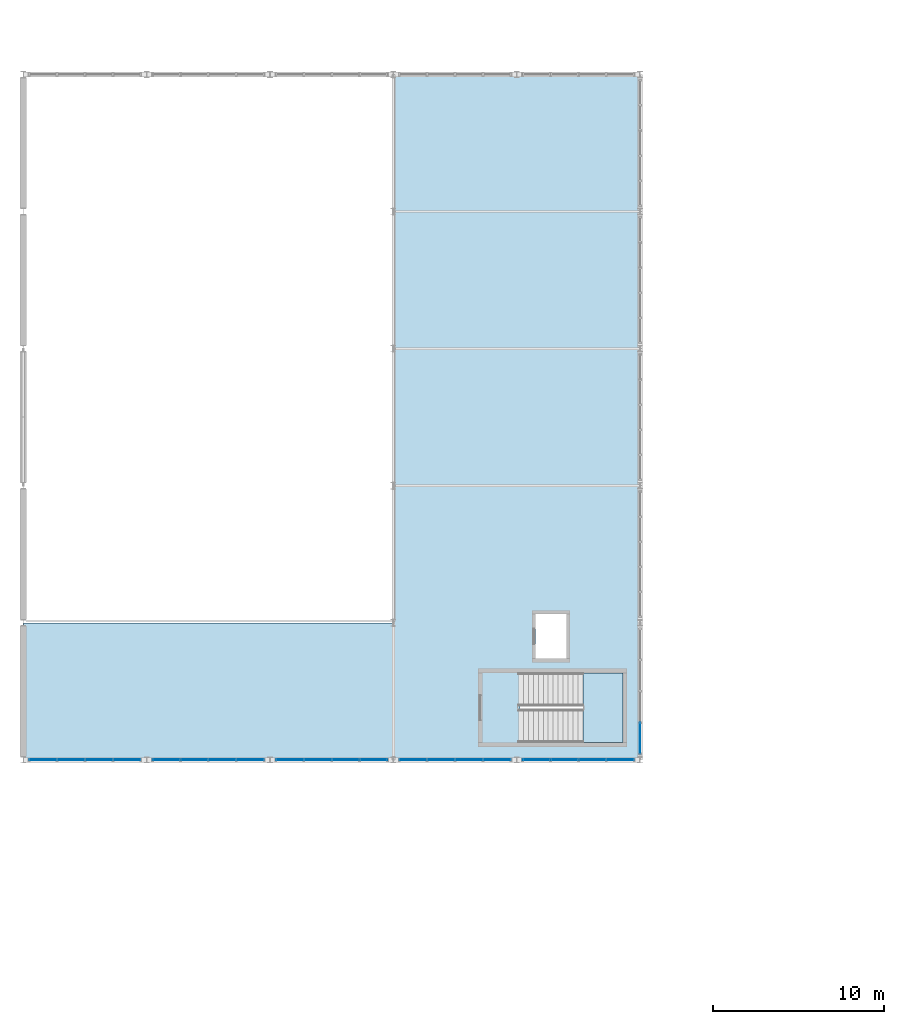
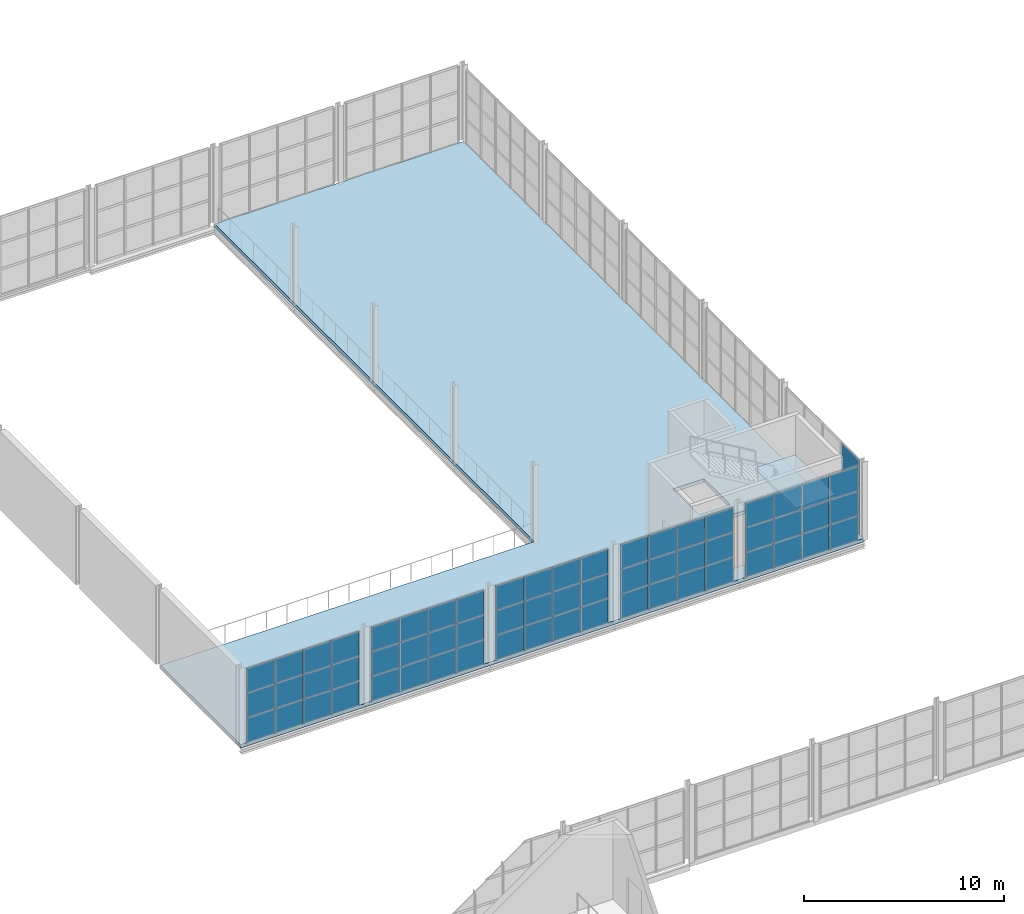
# One storey, part 111 of 143: 63 plates, 2 slabs, 7 elements without a shape of their own.
"""IFC4 building model written with IfcOpenShell, lengths in metres."""

from ifc_helpers import new_model, si_unit, derived_unit, direction, frame, origin, origin_2d, place, context, subcontext, project, spatial, polyline, rectangle, outline, extrude, material, layer, layer_set, type_object, element, aggregate, save


model = new_model("IFC4")

# Units and contexts
model_context = context("Model", 3, precision=1e-05, world=origin(), true_north=direction((0.0, 1.0)))
body_context = subcontext(model_context, "Body", "Model", "MODEL_VIEW")
ifc_project = project(units=[si_unit("LENGTHUNIT", "METRE"), si_unit("AREAUNIT", "SQUARE_METRE"), si_unit("VOLUMEUNIT", "CUBIC_METRE"), si_unit("PLANEANGLEUNIT", "RADIAN"), si_unit("MASSUNIT", "GRAM", prefix="KILO"), derived_unit("THERMALTRANSMITTANCEUNIT", [(si_unit("POWERUNIT", "WATT"), 1), (si_unit("LENGTHUNIT", "METRE"), -2), (si_unit("THERMODYNAMICTEMPERATUREUNIT", "KELVIN"), -1)])], contexts=[model_context])

# Site, building, storey
site_placement = place(None, origin())
site = spatial("IfcSite", under=ifc_project, at=site_placement, CompositionType="ELEMENT")
building_placement = place(site_placement, origin())
building = spatial("IfcBuilding", under=site, at=building_placement, Name="Keldorne Ridge Multi-Sports Centre", CompositionType="ELEMENT")
storey_placement = place(building_placement, frame((0.0, 0.0, 4.800048828125)))
storey = spatial("IfcBuildingStorey", under=building, at=storey_placement, Name="L01", CompositionType="ELEMENT", Elevation=4.800048828125)

# Curtain wall, plates
ifc_material_1 = material(Name="Anodized aluminium", Category="aluminium")
curtain_wall_type_1 = type_object("IfcCurtainWallType", Name="CW-CW-03", PredefinedType="NOTDEFINED", material=ifc_material_1)
curtain_wall_1_placement = place(storey_placement, origin())
curtain_wall_1 = element("IfcCurtainWall", 1, at=curtain_wall_1_placement, inside=storey, type_object=curtain_wall_type_1, Name="Climbing east courtyard glazing L01 059", PredefinedType="NOTDEFINED")
ifc_material_2 = material(Name="Double low-e insulated glazing", Category="glass")
ifc_layer_1 = layer(ifc_material_2, 0.035888671875)
ifc_layer_set_1 = layer_set([ifc_layer_1])
plate_type_1 = type_object("IfcPlateType", Name="PLT-GL-01", PredefinedType="CURTAIN_PANEL", material=ifc_layer_set_1)
plate_1_placement = place(storey_placement, frame((42.0, 75.2548828125, 0.02001953125), z_axis=(0.0, 0.0, 1.0), x_axis=(0.0, 1.0, 0.0)))
plate_1 = element("IfcPlate", 2, at=plate_1_placement, type_object=plate_type_1, Name="CW-059 glazed panel 1.1", PredefinedType="CURTAIN_PANEL", context=body_context, shape_type="SweptSolid", body=[
    extrude(rectangle(XDim=1.7900390625, YDim=0.035888671875, at=origin_2d()), origin(), (0.0, 0.0, 1.0), 1.476806640625),
])
plate_2_placement = place(storey_placement, frame((42.0, 75.2548828125, 1.53662109375), z_axis=(0.0, 0.0, 1.0), x_axis=(0.0, 1.0, 0.0)))
plate_2 = element("IfcPlate", 3, at=plate_2_placement, type_object=plate_type_1, Name="CW-059 glazed panel 1.2", PredefinedType="CURTAIN_PANEL", context=body_context, shape_type="SweptSolid", body=[
    extrude(rectangle(XDim=1.7900390625, YDim=0.035888671875, at=origin_2d()), origin(), (0.0, 0.0, 1.0), 1.476806640625),
])
plate_3_placement = place(storey_placement, frame((42.0, 75.2548828125, 3.05322265625), z_axis=(0.0, 0.0, 1.0), x_axis=(0.0, 1.0, 0.0)))
plate_3 = element("IfcPlate", 4, at=plate_3_placement, type_object=plate_type_1, Name="CW-059 glazed panel 1.3", PredefinedType="CURTAIN_PANEL", context=body_context, shape_type="SweptSolid", body=[
    extrude(rectangle(XDim=1.7900390625, YDim=0.035888671875, at=origin_2d()), origin(), (0.0, 0.0, 1.0), 1.476806640625),
])
aggregate(curtain_wall_1, [plate_1, plate_2, plate_3])

curtain_wall_2_placement = place(storey_placement, origin())
curtain_wall_2 = element("IfcCurtainWall", 5, at=curtain_wall_2_placement, inside=storey, type_object=curtain_wall_type_1, Name="Climbing belay south glazing 035", PredefinedType="NOTDEFINED")
ifc_material_3 = material(Name="Triple acoustic low-e glazing", Category="glass")
ifc_layer_2 = layer(ifc_material_3, 0.0439453125)
ifc_layer_set_2 = layer_set([ifc_layer_2])
plate_type_2 = type_object("IfcPlateType", Name="PLT-GL-02", PredefinedType="CURTAIN_PANEL", material=ifc_layer_set_2)
plate_4_placement = place(storey_placement, frame((7.155029296875, 74.0, 0.02001953125), z_axis=(0.0, 0.0, 1.0), x_axis=(1.0, 0.0, 0.0)))
plate_4 = element("IfcPlate", 6, at=plate_4_placement, type_object=plate_type_2, Name="CW-035 glazed panel 1.1", PredefinedType="CURTAIN_PANEL", context=body_context, shape_type="SweptSolid", body=[
    extrude(rectangle(XDim=1.590087890625, YDim=0.0439453125, at=origin_2d()), origin(), (0.0, 0.0, 1.0), 1.476806640625),
])
plate_5_placement = place(storey_placement, frame((7.155029296875, 74.0, 1.53662109375), z_axis=(0.0, 0.0, 1.0), x_axis=(1.0, 0.0, 0.0)))
plate_5 = element("IfcPlate", 7, at=plate_5_placement, type_object=plate_type_2, Name="CW-035 glazed panel 1.2", PredefinedType="CURTAIN_PANEL", context=body_context, shape_type="SweptSolid", body=[
    extrude(rectangle(XDim=1.590087890625, YDim=0.0439453125, at=origin_2d()), origin(), (0.0, 0.0, 1.0), 1.476806640625),
])
plate_6_placement = place(storey_placement, frame((7.155029296875, 74.0, 3.05322265625), z_axis=(0.0, 0.0, 1.0), x_axis=(1.0, 0.0, 0.0)))
plate_6 = element("IfcPlate", 8, at=plate_6_placement, type_object=plate_type_2, Name="CW-035 glazed panel 1.3", PredefinedType="CURTAIN_PANEL", context=body_context, shape_type="SweptSolid", body=[
    extrude(rectangle(XDim=1.590087890625, YDim=0.0439453125, at=origin_2d()), origin(), (0.0, 0.0, 1.0), 1.476806640625),
])
plate_7_placement = place(storey_placement, frame((8.784912109375, 74.0, 0.02001953125), z_axis=(0.0, 0.0, 1.0), x_axis=(1.0, 0.0, 0.0)))
plate_7 = element("IfcPlate", 9, at=plate_7_placement, type_object=plate_type_2, Name="CW-035 glazed panel 2.1", PredefinedType="CURTAIN_PANEL", context=body_context, shape_type="SweptSolid", body=[
    extrude(rectangle(XDim=1.590087890625, YDim=0.0439453125, at=origin_2d()), origin(), (0.0, 0.0, 1.0), 1.476806640625),
])
plate_8_placement = place(storey_placement, frame((8.784912109375, 74.0, 1.53662109375), z_axis=(0.0, 0.0, 1.0), x_axis=(1.0, 0.0, 0.0)))
plate_8 = element("IfcPlate", 10, at=plate_8_placement, type_object=plate_type_2, Name="CW-035 glazed panel 2.2", PredefinedType="CURTAIN_PANEL", context=body_context, shape_type="SweptSolid", body=[
    extrude(rectangle(XDim=1.590087890625, YDim=0.0439453125, at=origin_2d()), origin(), (0.0, 0.0, 1.0), 1.476806640625),
])
plate_9_placement = place(storey_placement, frame((8.784912109375, 74.0, 3.05322265625), z_axis=(0.0, 0.0, 1.0), x_axis=(1.0, 0.0, 0.0)))
plate_9 = element("IfcPlate", 11, at=plate_9_placement, type_object=plate_type_2, Name="CW-035 glazed panel 2.3", PredefinedType="CURTAIN_PANEL", context=body_context, shape_type="SweptSolid", body=[
    extrude(rectangle(XDim=1.590087890625, YDim=0.0439453125, at=origin_2d()), origin(), (0.0, 0.0, 1.0), 1.476806640625),
])
plate_10_placement = place(storey_placement, frame((10.4150390625, 74.0, 0.02001953125), z_axis=(0.0, 0.0, 1.0), x_axis=(1.0, 0.0, 0.0)))
plate_10 = element("IfcPlate", 12, at=plate_10_placement, type_object=plate_type_2, Name="CW-035 glazed panel 3.1", PredefinedType="CURTAIN_PANEL", context=body_context, shape_type="SweptSolid", body=[
    extrude(rectangle(XDim=1.590087890625, YDim=0.0439453125, at=origin_2d()), origin(), (0.0, 0.0, 1.0), 1.476806640625),
])
plate_11_placement = place(storey_placement, frame((10.4150390625, 74.0, 1.53662109375), z_axis=(0.0, 0.0, 1.0), x_axis=(1.0, 0.0, 0.0)))
plate_11 = element("IfcPlate", 13, at=plate_11_placement, type_object=plate_type_2, Name="CW-035 glazed panel 3.2", PredefinedType="CURTAIN_PANEL", context=body_context, shape_type="SweptSolid", body=[
    extrude(rectangle(XDim=1.590087890625, YDim=0.0439453125, at=origin_2d()), origin(), (0.0, 0.0, 1.0), 1.476806640625),
])
plate_12_placement = place(storey_placement, frame((10.4150390625, 74.0, 3.05322265625), z_axis=(0.0, 0.0, 1.0), x_axis=(1.0, 0.0, 0.0)))
plate_12 = element("IfcPlate", 14, at=plate_12_placement, type_object=plate_type_2, Name="CW-035 glazed panel 3.3", PredefinedType="CURTAIN_PANEL", context=body_context, shape_type="SweptSolid", body=[
    extrude(rectangle(XDim=1.590087890625, YDim=0.0439453125, at=origin_2d()), origin(), (0.0, 0.0, 1.0), 1.476806640625),
])
plate_13_placement = place(storey_placement, frame((12.044921875, 74.0, 0.02001953125), z_axis=(0.0, 0.0, 1.0), x_axis=(1.0, 0.0, 0.0)))
plate_13 = element("IfcPlate", 15, at=plate_13_placement, type_object=plate_type_2, Name="CW-035 glazed panel 4.1", PredefinedType="CURTAIN_PANEL", context=body_context, shape_type="SweptSolid", body=[
    extrude(rectangle(XDim=1.590087890625, YDim=0.0439453125, at=origin_2d()), origin(), (0.0, 0.0, 1.0), 1.476806640625),
])
plate_14_placement = place(storey_placement, frame((12.044921875, 74.0, 1.53662109375), z_axis=(0.0, 0.0, 1.0), x_axis=(1.0, 0.0, 0.0)))
plate_14 = element("IfcPlate", 16, at=plate_14_placement, type_object=plate_type_2, Name="CW-035 glazed panel 4.2", PredefinedType="CURTAIN_PANEL", context=body_context, shape_type="SweptSolid", body=[
    extrude(rectangle(XDim=1.590087890625, YDim=0.0439453125, at=origin_2d()), origin(), (0.0, 0.0, 1.0), 1.476806640625),
])
plate_15_placement = place(storey_placement, frame((12.044921875, 74.0, 3.05322265625), z_axis=(0.0, 0.0, 1.0), x_axis=(1.0, 0.0, 0.0)))
plate_15 = element("IfcPlate", 17, at=plate_15_placement, type_object=plate_type_2, Name="CW-035 glazed panel 4.3", PredefinedType="CURTAIN_PANEL", context=body_context, shape_type="SweptSolid", body=[
    extrude(rectangle(XDim=1.590087890625, YDim=0.0439453125, at=origin_2d()), origin(), (0.0, 0.0, 1.0), 1.476806640625),
])
aggregate(curtain_wall_2, [plate_4, plate_5, plate_6, plate_7, plate_8, plate_9, plate_10, plate_11, plate_12, plate_13, plate_14, plate_15])

curtain_wall_type_2 = type_object("IfcCurtainWallType", Name="CW-CW-08", PredefinedType="NOTDEFINED", material=ifc_material_1)
curtain_wall_3_placement = place(storey_placement, origin())
curtain_wall_3 = element("IfcCurtainWall", 18, at=curtain_wall_3_placement, inside=storey, type_object=curtain_wall_type_2, Name="Climbing belay south glazing 040", PredefinedType="NOTDEFINED")
plate_16_placement = place(storey_placement, frame((14.35498046875, 74.0, 0.02001953125), z_axis=(0.0, 0.0, 1.0), x_axis=(1.0, 0.0, 0.0)))
plate_16 = element("IfcPlate", 19, at=plate_16_placement, type_object=plate_type_2, Name="CW-040 glazed panel 1.1", PredefinedType="CURTAIN_PANEL", context=body_context, shape_type="SweptSolid", body=[
    extrude(rectangle(XDim=1.590087890625, YDim=0.0439453125, at=origin_2d()), origin(), (0.0, 0.0, 1.0), 1.476806640625),
])
plate_17_placement = place(storey_placement, frame((14.35498046875, 74.0, 1.53662109375), z_axis=(0.0, 0.0, 1.0), x_axis=(1.0, 0.0, 0.0)))
plate_17 = element("IfcPlate", 20, at=plate_17_placement, type_object=plate_type_2, Name="CW-040 glazed panel 1.2", PredefinedType="CURTAIN_PANEL", context=body_context, shape_type="SweptSolid", body=[
    extrude(rectangle(XDim=1.590087890625, YDim=0.0439453125, at=origin_2d()), origin(), (0.0, 0.0, 1.0), 1.476806640625),
])
plate_18_placement = place(storey_placement, frame((14.35498046875, 74.0, 3.05322265625), z_axis=(0.0, 0.0, 1.0), x_axis=(1.0, 0.0, 0.0)))
plate_18 = element("IfcPlate", 21, at=plate_18_placement, type_object=plate_type_2, Name="CW-040 glazed panel 1.3", PredefinedType="CURTAIN_PANEL", context=body_context, shape_type="SweptSolid", body=[
    extrude(rectangle(XDim=1.590087890625, YDim=0.0439453125, at=origin_2d()), origin(), (0.0, 0.0, 1.0), 1.476806640625),
])
plate_19_placement = place(storey_placement, frame((15.985107421875, 74.0, 0.02001953125), z_axis=(0.0, 0.0, 1.0), x_axis=(1.0, 0.0, 0.0)))
plate_19 = element("IfcPlate", 22, at=plate_19_placement, type_object=plate_type_2, Name="CW-040 glazed panel 2.1", PredefinedType="CURTAIN_PANEL", context=body_context, shape_type="SweptSolid", body=[
    extrude(rectangle(XDim=1.590087890625, YDim=0.0439453125, at=origin_2d()), origin(), (0.0, 0.0, 1.0), 1.476806640625),
])
plate_20_placement = place(storey_placement, frame((15.985107421875, 74.0, 1.53662109375), z_axis=(0.0, 0.0, 1.0), x_axis=(1.0, 0.0, 0.0)))
plate_20 = element("IfcPlate", 23, at=plate_20_placement, type_object=plate_type_2, Name="CW-040 glazed panel 2.2", PredefinedType="CURTAIN_PANEL", context=body_context, shape_type="SweptSolid", body=[
    extrude(rectangle(XDim=1.590087890625, YDim=0.0439453125, at=origin_2d()), origin(), (0.0, 0.0, 1.0), 1.476806640625),
])
plate_21_placement = place(storey_placement, frame((15.985107421875, 74.0, 3.05322265625), z_axis=(0.0, 0.0, 1.0), x_axis=(1.0, 0.0, 0.0)))
plate_21 = element("IfcPlate", 24, at=plate_21_placement, type_object=plate_type_2, Name="CW-040 glazed panel 2.3", PredefinedType="CURTAIN_PANEL", context=body_context, shape_type="SweptSolid", body=[
    extrude(rectangle(XDim=1.590087890625, YDim=0.0439453125, at=origin_2d()), origin(), (0.0, 0.0, 1.0), 1.476806640625),
])
plate_22_placement = place(storey_placement, frame((17.614990234375, 74.0, 0.02001953125), z_axis=(0.0, 0.0, 1.0), x_axis=(1.0, 0.0, 0.0)))
plate_22 = element("IfcPlate", 25, at=plate_22_placement, type_object=plate_type_2, Name="CW-040 glazed panel 3.1", PredefinedType="CURTAIN_PANEL", context=body_context, shape_type="SweptSolid", body=[
    extrude(rectangle(XDim=1.590087890625, YDim=0.0439453125, at=origin_2d()), origin(), (0.0, 0.0, 1.0), 1.476806640625),
])
plate_23_placement = place(storey_placement, frame((17.614990234375, 74.0, 1.53662109375), z_axis=(0.0, 0.0, 1.0), x_axis=(1.0, 0.0, 0.0)))
plate_23 = element("IfcPlate", 26, at=plate_23_placement, type_object=plate_type_2, Name="CW-040 glazed panel 3.2", PredefinedType="CURTAIN_PANEL", context=body_context, shape_type="SweptSolid", body=[
    extrude(rectangle(XDim=1.590087890625, YDim=0.0439453125, at=origin_2d()), origin(), (0.0, 0.0, 1.0), 1.476806640625),
])
plate_24_placement = place(storey_placement, frame((17.614990234375, 74.0, 3.05322265625), z_axis=(0.0, 0.0, 1.0), x_axis=(1.0, 0.0, 0.0)))
plate_24 = element("IfcPlate", 27, at=plate_24_placement, type_object=plate_type_2, Name="CW-040 glazed panel 3.3", PredefinedType="CURTAIN_PANEL", context=body_context, shape_type="SweptSolid", body=[
    extrude(rectangle(XDim=1.590087890625, YDim=0.0439453125, at=origin_2d()), origin(), (0.0, 0.0, 1.0), 1.476806640625),
])
plate_25_placement = place(storey_placement, frame((19.2451171875, 74.0, 0.02001953125), z_axis=(0.0, 0.0, 1.0), x_axis=(1.0, 0.0, 0.0)))
plate_25 = element("IfcPlate", 28, at=plate_25_placement, type_object=plate_type_2, Name="CW-040 glazed panel 4.1", PredefinedType="CURTAIN_PANEL", context=body_context, shape_type="SweptSolid", body=[
    extrude(rectangle(XDim=1.590087890625, YDim=0.0439453125, at=origin_2d()), origin(), (0.0, 0.0, 1.0), 1.476806640625),
])
plate_26_placement = place(storey_placement, frame((19.2451171875, 74.0, 1.53662109375), z_axis=(0.0, 0.0, 1.0), x_axis=(1.0, 0.0, 0.0)))
plate_26 = element("IfcPlate", 29, at=plate_26_placement, type_object=plate_type_2, Name="CW-040 glazed panel 4.2", PredefinedType="CURTAIN_PANEL", context=body_context, shape_type="SweptSolid", body=[
    extrude(rectangle(XDim=1.590087890625, YDim=0.0439453125, at=origin_2d()), origin(), (0.0, 0.0, 1.0), 1.476806640625),
])
plate_27_placement = place(storey_placement, frame((19.2451171875, 74.0, 3.05322265625), z_axis=(0.0, 0.0, 1.0), x_axis=(1.0, 0.0, 0.0)))
plate_27 = element("IfcPlate", 30, at=plate_27_placement, type_object=plate_type_2, Name="CW-040 glazed panel 4.3", PredefinedType="CURTAIN_PANEL", context=body_context, shape_type="SweptSolid", body=[
    extrude(rectangle(XDim=1.590087890625, YDim=0.0439453125, at=origin_2d()), origin(), (0.0, 0.0, 1.0), 1.476806640625),
])
aggregate(curtain_wall_3, [plate_16, plate_17, plate_18, plate_19, plate_20, plate_21, plate_22, plate_23, plate_24, plate_25, plate_26, plate_27])

curtain_wall_type_3 = type_object("IfcCurtainWallType", Name="CW-CW-04", PredefinedType="NOTDEFINED", material=ifc_material_1)
curtain_wall_4_placement = place(storey_placement, origin())
curtain_wall_4 = element("IfcCurtainWall", 31, at=curtain_wall_4_placement, inside=storey, type_object=curtain_wall_type_3, Name="Climbing belay south glazing 044", PredefinedType="NOTDEFINED")
plate_28_placement = place(storey_placement, frame((21.554931640625, 74.0, 0.02001953125), z_axis=(0.0, 0.0, 1.0), x_axis=(1.0, 0.0, 0.0)))
plate_28 = element("IfcPlate", 32, at=plate_28_placement, type_object=plate_type_2, Name="CW-044 glazed panel 1.1", PredefinedType="CURTAIN_PANEL", context=body_context, shape_type="SweptSolid", body=[
    extrude(rectangle(XDim=1.590087890625, YDim=0.0439453125, at=origin_2d()), origin(), (0.0, 0.0, 1.0), 1.476806640625),
])
plate_29_placement = place(storey_placement, frame((21.554931640625, 74.0, 1.53662109375), z_axis=(0.0, 0.0, 1.0), x_axis=(1.0, 0.0, 0.0)))
plate_29 = element("IfcPlate", 33, at=plate_29_placement, type_object=plate_type_2, Name="CW-044 glazed panel 1.2", PredefinedType="CURTAIN_PANEL", context=body_context, shape_type="SweptSolid", body=[
    extrude(rectangle(XDim=1.590087890625, YDim=0.0439453125, at=origin_2d()), origin(), (0.0, 0.0, 1.0), 1.476806640625),
])
plate_30_placement = place(storey_placement, frame((21.554931640625, 74.0, 3.05322265625), z_axis=(0.0, 0.0, 1.0), x_axis=(1.0, 0.0, 0.0)))
plate_30 = element("IfcPlate", 34, at=plate_30_placement, type_object=plate_type_2, Name="CW-044 glazed panel 1.3", PredefinedType="CURTAIN_PANEL", context=body_context, shape_type="SweptSolid", body=[
    extrude(rectangle(XDim=1.590087890625, YDim=0.0439453125, at=origin_2d()), origin(), (0.0, 0.0, 1.0), 1.476806640625),
])
plate_31_placement = place(storey_placement, frame((23.18505859375, 74.0, 0.02001953125), z_axis=(0.0, 0.0, 1.0), x_axis=(1.0, 0.0, 0.0)))
plate_31 = element("IfcPlate", 35, at=plate_31_placement, type_object=plate_type_2, Name="CW-044 glazed panel 2.1", PredefinedType="CURTAIN_PANEL", context=body_context, shape_type="SweptSolid", body=[
    extrude(rectangle(XDim=1.590087890625, YDim=0.0439453125, at=origin_2d()), origin(), (0.0, 0.0, 1.0), 1.476806640625),
])
plate_32_placement = place(storey_placement, frame((23.18505859375, 74.0, 1.53662109375), z_axis=(0.0, 0.0, 1.0), x_axis=(1.0, 0.0, 0.0)))
plate_32 = element("IfcPlate", 36, at=plate_32_placement, type_object=plate_type_2, Name="CW-044 glazed panel 2.2", PredefinedType="CURTAIN_PANEL", context=body_context, shape_type="SweptSolid", body=[
    extrude(rectangle(XDim=1.590087890625, YDim=0.0439453125, at=origin_2d()), origin(), (0.0, 0.0, 1.0), 1.476806640625),
])
plate_33_placement = place(storey_placement, frame((23.18505859375, 74.0, 3.05322265625), z_axis=(0.0, 0.0, 1.0), x_axis=(1.0, 0.0, 0.0)))
plate_33 = element("IfcPlate", 37, at=plate_33_placement, type_object=plate_type_2, Name="CW-044 glazed panel 2.3", PredefinedType="CURTAIN_PANEL", context=body_context, shape_type="SweptSolid", body=[
    extrude(rectangle(XDim=1.590087890625, YDim=0.0439453125, at=origin_2d()), origin(), (0.0, 0.0, 1.0), 1.476806640625),
])
plate_34_placement = place(storey_placement, frame((24.81494140625, 74.0, 0.02001953125), z_axis=(0.0, 0.0, 1.0), x_axis=(1.0, 0.0, 0.0)))
plate_34 = element("IfcPlate", 38, at=plate_34_placement, type_object=plate_type_2, Name="CW-044 glazed panel 3.1", PredefinedType="CURTAIN_PANEL", context=body_context, shape_type="SweptSolid", body=[
    extrude(rectangle(XDim=1.590087890625, YDim=0.0439453125, at=origin_2d()), origin(), (0.0, 0.0, 1.0), 1.476806640625),
])
plate_35_placement = place(storey_placement, frame((24.81494140625, 74.0, 1.53662109375), z_axis=(0.0, 0.0, 1.0), x_axis=(1.0, 0.0, 0.0)))
plate_35 = element("IfcPlate", 39, at=plate_35_placement, type_object=plate_type_2, Name="CW-044 glazed panel 3.2", PredefinedType="CURTAIN_PANEL", context=body_context, shape_type="SweptSolid", body=[
    extrude(rectangle(XDim=1.590087890625, YDim=0.0439453125, at=origin_2d()), origin(), (0.0, 0.0, 1.0), 1.476806640625),
])
plate_36_placement = place(storey_placement, frame((24.81494140625, 74.0, 3.05322265625), z_axis=(0.0, 0.0, 1.0), x_axis=(1.0, 0.0, 0.0)))
plate_36 = element("IfcPlate", 40, at=plate_36_placement, type_object=plate_type_2, Name="CW-044 glazed panel 3.3", PredefinedType="CURTAIN_PANEL", context=body_context, shape_type="SweptSolid", body=[
    extrude(rectangle(XDim=1.590087890625, YDim=0.0439453125, at=origin_2d()), origin(), (0.0, 0.0, 1.0), 1.476806640625),
])
plate_37_placement = place(storey_placement, frame((26.445068359375, 74.0, 0.02001953125), z_axis=(0.0, 0.0, 1.0), x_axis=(1.0, 0.0, 0.0)))
plate_37 = element("IfcPlate", 41, at=plate_37_placement, type_object=plate_type_2, Name="CW-044 glazed panel 4.1", PredefinedType="CURTAIN_PANEL", context=body_context, shape_type="SweptSolid", body=[
    extrude(rectangle(XDim=1.590087890625, YDim=0.0439453125, at=origin_2d()), origin(), (0.0, 0.0, 1.0), 1.476806640625),
])
plate_38_placement = place(storey_placement, frame((26.445068359375, 74.0, 1.53662109375), z_axis=(0.0, 0.0, 1.0), x_axis=(1.0, 0.0, 0.0)))
plate_38 = element("IfcPlate", 42, at=plate_38_placement, type_object=plate_type_2, Name="CW-044 glazed panel 4.2", PredefinedType="CURTAIN_PANEL", context=body_context, shape_type="SweptSolid", body=[
    extrude(rectangle(XDim=1.590087890625, YDim=0.0439453125, at=origin_2d()), origin(), (0.0, 0.0, 1.0), 1.476806640625),
])
plate_39_placement = place(storey_placement, frame((26.445068359375, 74.0, 3.05322265625), z_axis=(0.0, 0.0, 1.0), x_axis=(1.0, 0.0, 0.0)))
plate_39 = element("IfcPlate", 43, at=plate_39_placement, type_object=plate_type_2, Name="CW-044 glazed panel 4.3", PredefinedType="CURTAIN_PANEL", context=body_context, shape_type="SweptSolid", body=[
    extrude(rectangle(XDim=1.590087890625, YDim=0.0439453125, at=origin_2d()), origin(), (0.0, 0.0, 1.0), 1.476806640625),
])
aggregate(curtain_wall_4, [plate_28, plate_29, plate_30, plate_31, plate_32, plate_33, plate_34, plate_35, plate_36, plate_37, plate_38, plate_39])

curtain_wall_5_placement = place(storey_placement, origin())
curtain_wall_5 = element("IfcCurtainWall", 44, at=curtain_wall_5_placement, inside=storey, type_object=curtain_wall_type_2, Name="Climbing belay south glazing 048", PredefinedType="NOTDEFINED")
plate_40_placement = place(storey_placement, frame((28.7548828125, 74.0, 0.02001953125), z_axis=(0.0, 0.0, 1.0), x_axis=(1.0, 0.0, 0.0)))
plate_40 = element("IfcPlate", 45, at=plate_40_placement, type_object=plate_type_2, Name="CW-048 glazed panel 1.1", PredefinedType="CURTAIN_PANEL", context=body_context, shape_type="SweptSolid", body=[
    extrude(rectangle(XDim=1.590087890625, YDim=0.0439453125, at=origin_2d()), origin(), (0.0, 0.0, 1.0), 1.476806640625),
])
plate_41_placement = place(storey_placement, frame((28.7548828125, 74.0, 1.53662109375), z_axis=(0.0, 0.0, 1.0), x_axis=(1.0, 0.0, 0.0)))
plate_41 = element("IfcPlate", 46, at=plate_41_placement, type_object=plate_type_2, Name="CW-048 glazed panel 1.2", PredefinedType="CURTAIN_PANEL", context=body_context, shape_type="SweptSolid", body=[
    extrude(rectangle(XDim=1.590087890625, YDim=0.0439453125, at=origin_2d()), origin(), (0.0, 0.0, 1.0), 1.476806640625),
])
plate_42_placement = place(storey_placement, frame((28.7548828125, 74.0, 3.05322265625), z_axis=(0.0, 0.0, 1.0), x_axis=(1.0, 0.0, 0.0)))
plate_42 = element("IfcPlate", 47, at=plate_42_placement, type_object=plate_type_2, Name="CW-048 glazed panel 1.3", PredefinedType="CURTAIN_PANEL", context=body_context, shape_type="SweptSolid", body=[
    extrude(rectangle(XDim=1.590087890625, YDim=0.0439453125, at=origin_2d()), origin(), (0.0, 0.0, 1.0), 1.476806640625),
])
plate_43_placement = place(storey_placement, frame((30.385009765625, 74.0, 0.02001953125), z_axis=(0.0, 0.0, 1.0), x_axis=(1.0, 0.0, 0.0)))
plate_43 = element("IfcPlate", 48, at=plate_43_placement, type_object=plate_type_2, Name="CW-048 glazed panel 2.1", PredefinedType="CURTAIN_PANEL", context=body_context, shape_type="SweptSolid", body=[
    extrude(rectangle(XDim=1.590087890625, YDim=0.0439453125, at=origin_2d()), origin(), (0.0, 0.0, 1.0), 1.476806640625),
])
plate_44_placement = place(storey_placement, frame((30.385009765625, 74.0, 1.53662109375), z_axis=(0.0, 0.0, 1.0), x_axis=(1.0, 0.0, 0.0)))
plate_44 = element("IfcPlate", 49, at=plate_44_placement, type_object=plate_type_2, Name="CW-048 glazed panel 2.2", PredefinedType="CURTAIN_PANEL", context=body_context, shape_type="SweptSolid", body=[
    extrude(rectangle(XDim=1.590087890625, YDim=0.0439453125, at=origin_2d()), origin(), (0.0, 0.0, 1.0), 1.476806640625),
])
plate_45_placement = place(storey_placement, frame((30.385009765625, 74.0, 3.05322265625), z_axis=(0.0, 0.0, 1.0), x_axis=(1.0, 0.0, 0.0)))
plate_45 = element("IfcPlate", 50, at=plate_45_placement, type_object=plate_type_2, Name="CW-048 glazed panel 2.3", PredefinedType="CURTAIN_PANEL", context=body_context, shape_type="SweptSolid", body=[
    extrude(rectangle(XDim=1.590087890625, YDim=0.0439453125, at=origin_2d()), origin(), (0.0, 0.0, 1.0), 1.476806640625),
])
plate_46_placement = place(storey_placement, frame((32.014892578125, 74.0, 0.02001953125), z_axis=(0.0, 0.0, 1.0), x_axis=(1.0, 0.0, 0.0)))
plate_46 = element("IfcPlate", 51, at=plate_46_placement, type_object=plate_type_2, Name="CW-048 glazed panel 3.1", PredefinedType="CURTAIN_PANEL", context=body_context, shape_type="SweptSolid", body=[
    extrude(rectangle(XDim=1.590087890625, YDim=0.0439453125, at=origin_2d()), origin(), (0.0, 0.0, 1.0), 1.476806640625),
])
plate_47_placement = place(storey_placement, frame((32.014892578125, 74.0, 1.53662109375), z_axis=(0.0, 0.0, 1.0), x_axis=(1.0, 0.0, 0.0)))
plate_47 = element("IfcPlate", 52, at=plate_47_placement, type_object=plate_type_2, Name="CW-048 glazed panel 3.2", PredefinedType="CURTAIN_PANEL", context=body_context, shape_type="SweptSolid", body=[
    extrude(rectangle(XDim=1.590087890625, YDim=0.0439453125, at=origin_2d()), origin(), (0.0, 0.0, 1.0), 1.476806640625),
])
plate_48_placement = place(storey_placement, frame((32.014892578125, 74.0, 3.05322265625), z_axis=(0.0, 0.0, 1.0), x_axis=(1.0, 0.0, 0.0)))
plate_48 = element("IfcPlate", 53, at=plate_48_placement, type_object=plate_type_2, Name="CW-048 glazed panel 3.3", PredefinedType="CURTAIN_PANEL", context=body_context, shape_type="SweptSolid", body=[
    extrude(rectangle(XDim=1.590087890625, YDim=0.0439453125, at=origin_2d()), origin(), (0.0, 0.0, 1.0), 1.476806640625),
])
plate_49_placement = place(storey_placement, frame((33.64501953125, 74.0, 0.02001953125), z_axis=(0.0, 0.0, 1.0), x_axis=(1.0, 0.0, 0.0)))
plate_49 = element("IfcPlate", 54, at=plate_49_placement, type_object=plate_type_2, Name="CW-048 glazed panel 4.1", PredefinedType="CURTAIN_PANEL", context=body_context, shape_type="SweptSolid", body=[
    extrude(rectangle(XDim=1.590087890625, YDim=0.0439453125, at=origin_2d()), origin(), (0.0, 0.0, 1.0), 1.476806640625),
])
plate_50_placement = place(storey_placement, frame((33.64501953125, 74.0, 1.53662109375), z_axis=(0.0, 0.0, 1.0), x_axis=(1.0, 0.0, 0.0)))
plate_50 = element("IfcPlate", 55, at=plate_50_placement, type_object=plate_type_2, Name="CW-048 glazed panel 4.2", PredefinedType="CURTAIN_PANEL", context=body_context, shape_type="SweptSolid", body=[
    extrude(rectangle(XDim=1.590087890625, YDim=0.0439453125, at=origin_2d()), origin(), (0.0, 0.0, 1.0), 1.476806640625),
])
plate_51_placement = place(storey_placement, frame((33.64501953125, 74.0, 3.05322265625), z_axis=(0.0, 0.0, 1.0), x_axis=(1.0, 0.0, 0.0)))
plate_51 = element("IfcPlate", 56, at=plate_51_placement, type_object=plate_type_2, Name="CW-048 glazed panel 4.3", PredefinedType="CURTAIN_PANEL", context=body_context, shape_type="SweptSolid", body=[
    extrude(rectangle(XDim=1.590087890625, YDim=0.0439453125, at=origin_2d()), origin(), (0.0, 0.0, 1.0), 1.476806640625),
])
aggregate(curtain_wall_5, [plate_40, plate_41, plate_42, plate_43, plate_44, plate_45, plate_46, plate_47, plate_48, plate_49, plate_50, plate_51])

curtain_wall_type_4 = type_object("IfcCurtainWallType", Name="CW-CW-05", PredefinedType="NOTDEFINED", material=ifc_material_1)
curtain_wall_6_placement = place(storey_placement, origin())
curtain_wall_6 = element("IfcCurtainWall", 57, at=curtain_wall_6_placement, inside=storey, type_object=curtain_wall_type_4, Name="Climbing belay south glazing 053", PredefinedType="NOTDEFINED")
plate_52_placement = place(storey_placement, frame((35.955078125, 74.0, 0.02001953125), z_axis=(0.0, 0.0, 1.0), x_axis=(1.0, 0.0, 0.0)))
plate_52 = element("IfcPlate", 58, at=plate_52_placement, type_object=plate_type_2, Name="CW-053 glazed panel 1.1", PredefinedType="CURTAIN_PANEL", context=body_context, shape_type="SweptSolid", body=[
    extrude(rectangle(XDim=1.590087890625, YDim=0.0439453125, at=origin_2d()), origin(), (0.0, 0.0, 1.0), 1.476806640625),
])
plate_53_placement = place(storey_placement, frame((35.955078125, 74.0, 1.53662109375), z_axis=(0.0, 0.0, 1.0), x_axis=(1.0, 0.0, 0.0)))
plate_53 = element("IfcPlate", 59, at=plate_53_placement, type_object=plate_type_2, Name="CW-053 glazed panel 1.2", PredefinedType="CURTAIN_PANEL", context=body_context, shape_type="SweptSolid", body=[
    extrude(rectangle(XDim=1.590087890625, YDim=0.0439453125, at=origin_2d()), origin(), (0.0, 0.0, 1.0), 1.476806640625),
])
plate_54_placement = place(storey_placement, frame((35.955078125, 74.0, 3.05322265625), z_axis=(0.0, 0.0, 1.0), x_axis=(1.0, 0.0, 0.0)))
plate_54 = element("IfcPlate", 60, at=plate_54_placement, type_object=plate_type_2, Name="CW-053 glazed panel 1.3", PredefinedType="CURTAIN_PANEL", context=body_context, shape_type="SweptSolid", body=[
    extrude(rectangle(XDim=1.590087890625, YDim=0.0439453125, at=origin_2d()), origin(), (0.0, 0.0, 1.0), 1.476806640625),
])
plate_55_placement = place(storey_placement, frame((37.5849609375, 74.0, 0.02001953125), z_axis=(0.0, 0.0, 1.0), x_axis=(1.0, 0.0, 0.0)))
plate_55 = element("IfcPlate", 61, at=plate_55_placement, type_object=plate_type_2, Name="CW-053 glazed panel 2.1", PredefinedType="CURTAIN_PANEL", context=body_context, shape_type="SweptSolid", body=[
    extrude(rectangle(XDim=1.590087890625, YDim=0.0439453125, at=origin_2d()), origin(), (0.0, 0.0, 1.0), 1.476806640625),
])
plate_56_placement = place(storey_placement, frame((37.5849609375, 74.0, 1.53662109375), z_axis=(0.0, 0.0, 1.0), x_axis=(1.0, 0.0, 0.0)))
plate_56 = element("IfcPlate", 62, at=plate_56_placement, type_object=plate_type_2, Name="CW-053 glazed panel 2.2", PredefinedType="CURTAIN_PANEL", context=body_context, shape_type="SweptSolid", body=[
    extrude(rectangle(XDim=1.590087890625, YDim=0.0439453125, at=origin_2d()), origin(), (0.0, 0.0, 1.0), 1.476806640625),
])
plate_57_placement = place(storey_placement, frame((37.5849609375, 74.0, 3.05322265625), z_axis=(0.0, 0.0, 1.0), x_axis=(1.0, 0.0, 0.0)))
plate_57 = element("IfcPlate", 63, at=plate_57_placement, type_object=plate_type_2, Name="CW-053 glazed panel 2.3", PredefinedType="CURTAIN_PANEL", context=body_context, shape_type="SweptSolid", body=[
    extrude(rectangle(XDim=1.590087890625, YDim=0.0439453125, at=origin_2d()), origin(), (0.0, 0.0, 1.0), 1.476806640625),
])
plate_58_placement = place(storey_placement, frame((39.215087890625, 74.0, 0.02001953125), z_axis=(0.0, 0.0, 1.0), x_axis=(1.0, 0.0, 0.0)))
plate_58 = element("IfcPlate", 64, at=plate_58_placement, type_object=plate_type_2, Name="CW-053 glazed panel 3.1", PredefinedType="CURTAIN_PANEL", context=body_context, shape_type="SweptSolid", body=[
    extrude(rectangle(XDim=1.590087890625, YDim=0.0439453125, at=origin_2d()), origin(), (0.0, 0.0, 1.0), 1.476806640625),
])
plate_59_placement = place(storey_placement, frame((39.215087890625, 74.0, 1.53662109375), z_axis=(0.0, 0.0, 1.0), x_axis=(1.0, 0.0, 0.0)))
plate_59 = element("IfcPlate", 65, at=plate_59_placement, type_object=plate_type_2, Name="CW-053 glazed panel 3.2", PredefinedType="CURTAIN_PANEL", context=body_context, shape_type="SweptSolid", body=[
    extrude(rectangle(XDim=1.590087890625, YDim=0.0439453125, at=origin_2d()), origin(), (0.0, 0.0, 1.0), 1.476806640625),
])
plate_60_placement = place(storey_placement, frame((39.215087890625, 74.0, 3.05322265625), z_axis=(0.0, 0.0, 1.0), x_axis=(1.0, 0.0, 0.0)))
plate_60 = element("IfcPlate", 66, at=plate_60_placement, type_object=plate_type_2, Name="CW-053 glazed panel 3.3", PredefinedType="CURTAIN_PANEL", context=body_context, shape_type="SweptSolid", body=[
    extrude(rectangle(XDim=1.590087890625, YDim=0.0439453125, at=origin_2d()), origin(), (0.0, 0.0, 1.0), 1.476806640625),
])
plate_61_placement = place(storey_placement, frame((40.844970703125, 74.0, 0.02001953125), z_axis=(0.0, 0.0, 1.0), x_axis=(1.0, 0.0, 0.0)))
plate_61 = element("IfcPlate", 67, at=plate_61_placement, type_object=plate_type_2, Name="CW-053 glazed panel 4.1", PredefinedType="CURTAIN_PANEL", context=body_context, shape_type="SweptSolid", body=[
    extrude(rectangle(XDim=1.590087890625, YDim=0.0439453125, at=origin_2d()), origin(), (0.0, 0.0, 1.0), 1.476806640625),
])
plate_62_placement = place(storey_placement, frame((40.844970703125, 74.0, 1.53662109375), z_axis=(0.0, 0.0, 1.0), x_axis=(1.0, 0.0, 0.0)))
plate_62 = element("IfcPlate", 68, at=plate_62_placement, type_object=plate_type_2, Name="CW-053 glazed panel 4.2", PredefinedType="CURTAIN_PANEL", context=body_context, shape_type="SweptSolid", body=[
    extrude(rectangle(XDim=1.590087890625, YDim=0.0439453125, at=origin_2d()), origin(), (0.0, 0.0, 1.0), 1.476806640625),
])
plate_63_placement = place(storey_placement, frame((40.844970703125, 74.0, 3.05322265625), z_axis=(0.0, 0.0, 1.0), x_axis=(1.0, 0.0, 0.0)))
plate_63 = element("IfcPlate", 69, at=plate_63_placement, type_object=plate_type_2, Name="CW-053 glazed panel 4.3", PredefinedType="CURTAIN_PANEL", context=body_context, shape_type="SweptSolid", body=[
    extrude(rectangle(XDim=1.590087890625, YDim=0.0439453125, at=origin_2d()), origin(), (0.0, 0.0, 1.0), 1.476806640625),
])
aggregate(curtain_wall_6, [plate_52, plate_53, plate_54, plate_55, plate_56, plate_57, plate_58, plate_59, plate_60, plate_61, plate_62, plate_63])

# Stair, slab
ifc_material_4 = material(Name="Concrete C35/45", Category="concrete")
stair_type = type_object("IfcStairType", Name="STR-S01", PredefinedType="HALF_TURN_STAIR", material=ifc_material_4)
stair_placement = place(storey_placement, origin())
stair = element("IfcStair", 70, at=stair_placement, inside=storey, type_object=stair_type, Name="L01 Climbing & Concourse Core C6", PredefinedType="HALF_TURN_STAIR")
ifc_layer_3 = layer(ifc_material_4, 0.199951171875)
ifc_layer_set_3 = layer_set([ifc_layer_3], Name="Concrete C35/45")
slab_type_1 = type_object("IfcSlabType", Name="SLB-LDG-01", PredefinedType="LANDING", material=ifc_layer_set_3)
slab_1_placement = place(storey_placement, frame((0.0, 0.0, 2.199951171875)))
slab_1 = element("IfcSlab", 71, at=slab_1_placement, type_object=slab_type_1, Name="ST-06 landing 1", PredefinedType="LANDING", context=body_context, shape_type="SweptSolid", body=[
    extrude(outline(polyline([(38.669921875, 75.0), (41.0, 75.0), (41.0, 79.080078125), (38.669921875, 79.080078125), (38.669921875, 75.0)])), origin(), (0.0, 0.0, 1.0), 0.199951171875),
])
aggregate(stair, [slab_1])

# Slab
ifc_layer_4 = layer(ifc_material_4, 0.219970703125)
ifc_layer_set_4 = layer_set([ifc_layer_4], Name="Concrete C35/45")
slab_type_2 = type_object("IfcSlabType", Name="SLB-SL-F02", PredefinedType="FLOOR", material=ifc_layer_set_4)
slab_2_placement = place(storey_placement, frame((0.0, 0.0, -0.219970703125)))
element("IfcSlab", 72, at=slab_2_placement, inside=storey, type_object=slab_type_2, Name="First floor Climbing Belay Gallery slab", PredefinedType="FLOOR", context=body_context, shape_type="SweptSolid", body=[
    extrude(outline(polyline([(6.0, 74.0), (42.0, 74.0), (42.0, 114.0), (27.60009765625, 114.0), (27.60009765625, 82.0), (6.0, 82.0), (6.0, 74.0)]), holes=[polyline([(34.97998046875, 75.0), (34.97998046875, 79.080078125), (41.0, 79.080078125), (41.0, 75.0), (34.97998046875, 75.0)]), polyline([(35.89990234375, 79.89990234375), (35.89990234375, 82.5), (37.699951171875, 82.5), (37.699951171875, 79.89990234375), (35.89990234375, 79.89990234375)])]), origin(), (0.0, 0.0, 1.0), 0.219970703125),
])

save(model, "model.ifc")
